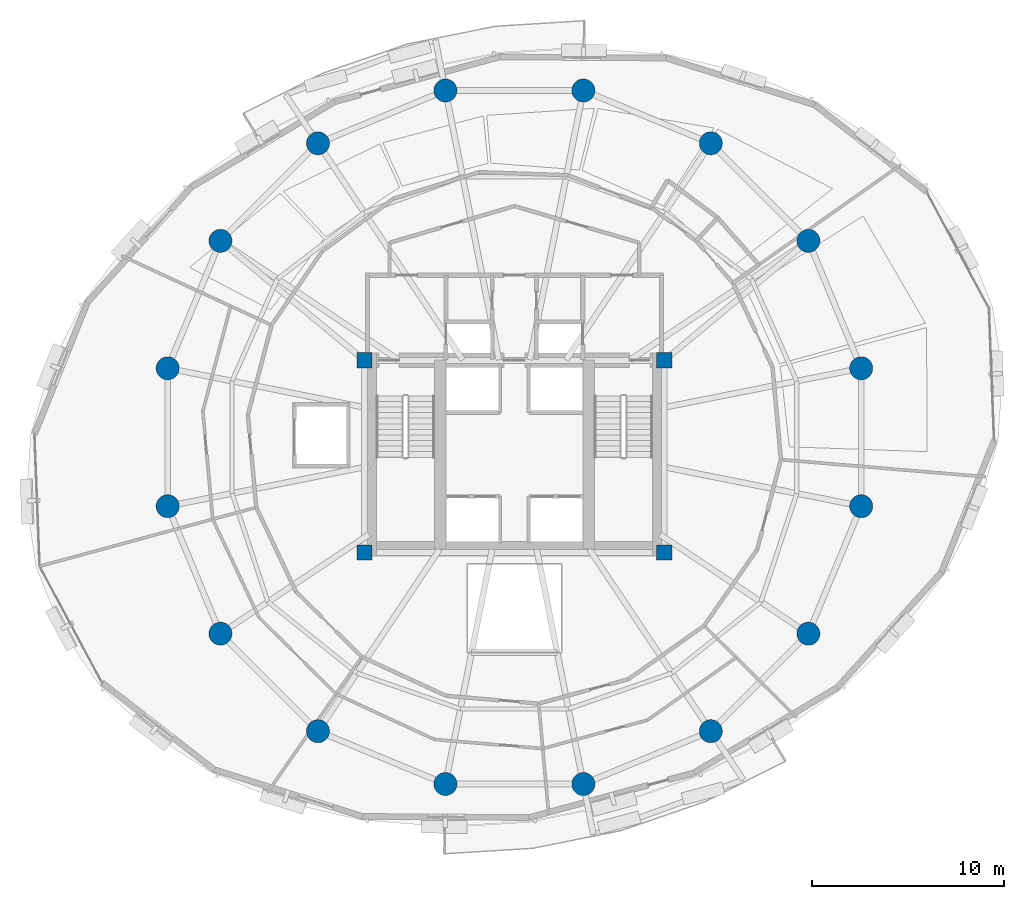
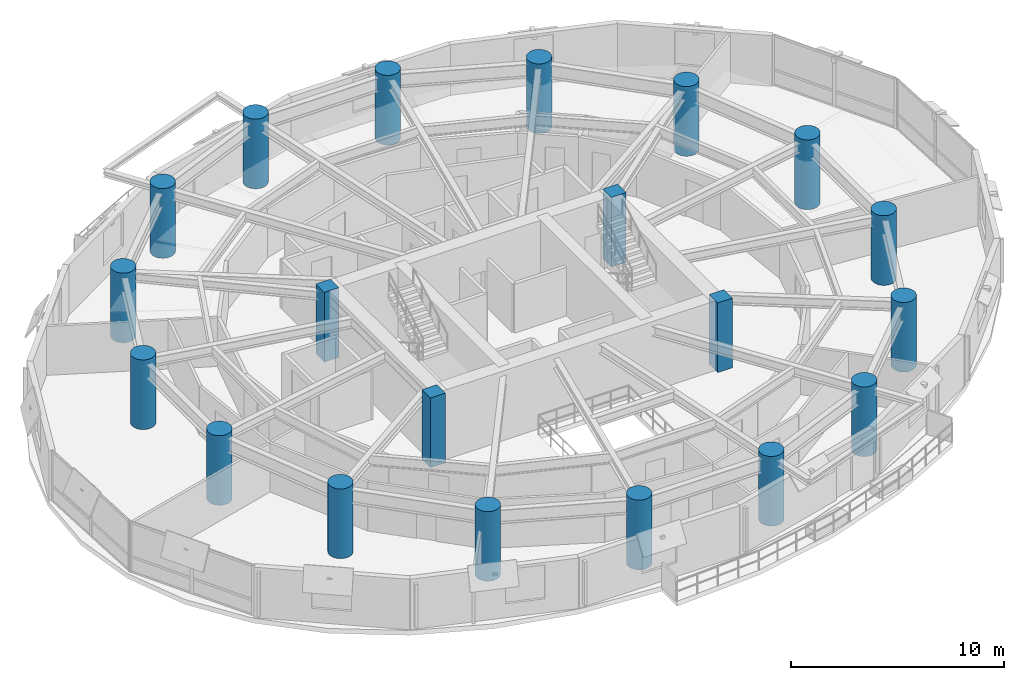
# One storey, part 1 of 15: 20 columns.
"""IFC4 building model written with IfcOpenShell, lengths in metres."""

import ifcopenshell
import ifcopenshell.guid

model = None  # the IFC model being written
_history = None  # IfcOwnerHistory: only IFC2X3 demands one
_inside = {}  # id of a spatial element -> (the spatial element, [elements in it])
_under = {}  # id of a project, library or spatial element -> (it, [spatial elements below it])
_declared = {}  # id of a project -> (the project, [libraries it declares])
_typed = {}  # id of a type object -> (the type object, [elements of that type])
_made_of = {}  # id of a material, layer set ... -> (it, [elements and type objects made of it])


def new_model(schema):
    """Start an empty IFC model of exactly this schema.

    Asked for "IFC4X3", IfcOpenShell would pick the latest addendum, in which some entities
    have other attributes; the version numbers below select the first issue.
    IFC2X3 requires an IfcOwnerHistory on every rooted entity: one is made here for all.
    """
    global model, _history
    if schema == "IFC4X3":
        model = ifcopenshell.file(schema_version=(4, 3, 0, 0))
    else:
        model = ifcopenshell.file(schema=schema)
    _inside.clear()
    _under.clear()
    _declared.clear()
    _typed.clear()
    _made_of.clear()
    _history = None
    if model.schema == "IFC2X3":
        org = make("IfcOrganization", Name="unknown")
        user = make(
            "IfcPersonAndOrganization",
            ThePerson=make("IfcPerson", FamilyName="unknown"),
            TheOrganization=org,
        )
        app = make(
            "IfcApplication",
            ApplicationDeveloper=org,
            Version="unknown",
            ApplicationFullName="unknown",
            ApplicationIdentifier="unknown",
        )
        _history = make(
            "IfcOwnerHistory",
            OwningUser=user,
            OwningApplication=app,
            ChangeAction="ADDED",
            CreationDate=0,
        )
    return model


def make(cls, **values):
    """One entity of the class cls with the attributes given. An attribute that is None is left unset."""
    return model.create_entity(
        cls, **{name: value for name, value in values.items() if value is not None}
    )


def rooted(cls, **values):
    """An entity with a GlobalId (a new one), such as an element, a storey or a relation."""
    return make(cls, GlobalId=ifcopenshell.guid.new(), OwnerHistory=_history, **values)


def si_unit(unit_type, name, prefix=None):
    """IfcSIUnit, for example si_unit("LENGTHUNIT", "METRE", prefix="MILLI")."""
    return make("IfcSIUnit", UnitType=unit_type, Prefix=prefix, Name=name)


def assignment(units):
    """IfcUnitAssignment: the units of a project."""
    return None if units is None else make("IfcUnitAssignment", Units=units)


def point(xyz):
    """IfcCartesianPoint."""
    return None if xyz is None else make("IfcCartesianPoint", Coordinates=xyz)


def direction(xyz):
    """IfcDirection."""
    return None if xyz is None else make("IfcDirection", DirectionRatios=xyz)


def frame(location, z_axis=None, x_axis=None):
    """IfcAxis2Placement3D, a coordinate frame: its origin and axes. An axis left out is left unset."""
    return make(
        "IfcAxis2Placement3D",
        Location=point(location),
        Axis=direction(z_axis),
        RefDirection=direction(x_axis),
    )


def frame_2d(location, x_axis=None):
    """IfcAxis2Placement2D, a coordinate frame in the plane: its origin and x axis."""
    return make(
        "IfcAxis2Placement2D", Location=point(location), RefDirection=direction(x_axis)
    )


def origin():
    """The frame at (0, 0, 0) with its axes left unset."""
    return frame((0.0, 0.0, 0.0))


def origin_2d():
    """The frame at (0, 0) in the plane with its x axis left unset."""
    return frame_2d((0.0, 0.0))


def place(relative_to, where):
    """IfcLocalPlacement: puts the frame where relative to a parent placement (None: the world)."""
    return make(
        "IfcLocalPlacement", PlacementRelTo=relative_to, RelativePlacement=where
    )


def context(
    kind, dimensions, precision=None, world=None, true_north=None, identifier=None
):
    """IfcGeometricRepresentationContext, for example the 3D "Model" context."""
    return make(
        "IfcGeometricRepresentationContext",
        ContextIdentifier=identifier,
        ContextType=kind,
        CoordinateSpaceDimension=dimensions,
        Precision=precision,
        WorldCoordinateSystem=world,
        TrueNorth=true_north,
    )


def subcontext(parent, identifier, kind, view, scale=None):
    """IfcGeometricRepresentationSubContext, for example "Body" below "Model"."""
    return make(
        "IfcGeometricRepresentationSubContext",
        ContextIdentifier=identifier,
        ContextType=kind,
        ParentContext=parent,
        TargetScale=scale,
        TargetView=view,
    )


def project(units=None, contexts=None):
    """IfcProject with its units and contexts."""
    return rooted(
        "IfcProject",
        Name="project",
        RepresentationContexts=contexts,
        UnitsInContext=assignment(units),
    )


def spatial(cls, under=None, at=None, **own):
    """A site, building, storey or space (cls), placed at a placement, below another one or the project."""
    s = rooted(cls, ObjectPlacement=at, **own)
    if under is not None:
        _under.setdefault(under.id(), (under, []))[1].append(s)
    return s


def profile(cls, at=None, kind="AREA", **sizes):
    """A parametric profile (cls). Its sizes go by their IFC names, for example OverallWidth=200.0."""
    return make(cls, ProfileType=kind, Position=at, **sizes)


def rectangle(**sizes):
    """IfcRectangleProfileDef."""
    return profile("IfcRectangleProfileDef", **sizes)


def circle(**sizes):
    """IfcCircleProfileDef."""
    return profile("IfcCircleProfileDef", **sizes)


def extrude(swept, where, along, depth):
    """IfcExtrudedAreaSolid: the profile swept, set in the frame where, extruded along a direction by depth."""
    return make(
        "IfcExtrudedAreaSolid",
        SweptArea=swept,
        Position=where,
        ExtrudedDirection=direction(along),
        Depth=depth,
    )


def shape(context_of_items, identifier, shape_type, items):
    """IfcShapeRepresentation: the items that make up one representation, for example the "Body"."""
    return make(
        "IfcShapeRepresentation",
        ContextOfItems=context_of_items,
        RepresentationIdentifier=identifier,
        RepresentationType=shape_type,
        Items=items,
    )


def material(Name=None, Category=None):
    """IfcMaterial."""
    return make("IfcMaterial", Name=Name, Category=Category)


def material_profile(
    of_material, cross_section, Name=None, Category=None, Priority=None
):
    """IfcMaterialProfile: a cross section and its material."""
    return make(
        "IfcMaterialProfile",
        Name=Name,
        Material=of_material,
        Profile=cross_section,
        Priority=Priority,
        Category=Category,
    )


def profile_set(profiles, Name=None, composite=None):
    """IfcMaterialProfileSet."""
    return make(
        "IfcMaterialProfileSet",
        Name=Name,
        MaterialProfiles=profiles,
        CompositeProfile=composite,
    )


def made_of(thing, what):
    """Note that an element or type object is made of a material, layer set ...; save() writes the relation."""
    if what is not None:
        _made_of.setdefault(what.id(), (what, []))[1].append(thing)
    return thing


def type_object(cls, material=None, **own):
    """A type object (cls), such as IfcWallType, which elements share."""
    return made_of(rooted(cls, **own), material)


def element(
    cls,
    number,
    at=None,
    inside=None,
    cuts=None,
    type_object=None,
    material=None,
    context=None,
    identifier="Body",
    shape_type=None,
    held_by="IfcProductDefinitionShape",
    body=None,
    shapes=None,
    **own,
):
    """One element of the class cls, such as IfcWall. Its Tag is "e" and its number.

    at: its placement. inside: the storey or other place that contains it. cuts: it is an
    opening in that element (IfcRelVoidsElement). A single representation is given by context,
    identifier, shape_type and body (its items); several are given by shapes. held_by: the class
    of the entity that holds the representations. save() writes the other relations.
    """
    e = rooted(cls, Tag="e%d" % number, ObjectPlacement=at, **own)
    if body is not None:
        shapes = [shape(context, identifier, shape_type, body)]
    if shapes is not None:
        e.Representation = make(held_by, Representations=shapes)
    if inside is not None:
        _inside.setdefault(inside.id(), (inside, []))[1].append(e)
    if cuts is not None:
        rooted(
            "IfcRelVoidsElement", RelatingBuildingElement=cuts, RelatedOpeningElement=e
        )
    if type_object is not None:
        _typed.setdefault(type_object.id(), (type_object, []))[1].append(e)
    return made_of(e, material)


def aggregate(whole, parts):
    """IfcRelAggregates: a whole, such as a stair, and the parts it consists of."""
    return rooted("IfcRelAggregates", RelatingObject=whole, RelatedObjects=parts)


def save(model, path):
    """Write the relations noted so far, then the file.

    IfcRelAggregates (storeys below a building ...), IfcRelContainedInSpatialStructure (elements
    in a storey), IfcRelDefinesByType, IfcRelAssociatesMaterial and IfcRelDeclares: one each for
    every whole, place, type object, material and project.
    """
    for whole, parts in _under.values():
        aggregate(whole, parts)
    for where, things in _inside.values():
        rooted(
            "IfcRelContainedInSpatialStructure",
            RelatedElements=things,
            RelatingStructure=where,
        )
    for kind, things in _typed.values():
        rooted("IfcRelDefinesByType", RelatedObjects=things, RelatingType=kind)
    for what, things in _made_of.values():
        rooted("IfcRelAssociatesMaterial", RelatedObjects=things, RelatingMaterial=what)
    for by, libraries in _declared.values():
        rooted("IfcRelDeclares", RelatingContext=by, RelatedDefinitions=libraries)
    model.write(path)


model = new_model("IFC4")

# Units and contexts
model_context = context("Model", 3, precision=1e-05, world=origin(), true_north=direction((0.0, 1.0)))
body_context = subcontext(model_context, "Body", "Model", "MODEL_VIEW")
ifc_project = project(units=[si_unit("LENGTHUNIT", "METRE"), si_unit("AREAUNIT", "SQUARE_METRE"), si_unit("VOLUMEUNIT", "CUBIC_METRE"), si_unit("PLANEANGLEUNIT", "RADIAN"), si_unit("MASSUNIT", "GRAM", prefix="KILO"), si_unit("THERMODYNAMICTEMPERATUREUNIT", "KELVIN"), si_unit("POWERUNIT", "WATT")], contexts=[model_context])

# Site, building, storey
site_placement = place(None, origin())
site = spatial("IfcSite", under=ifc_project, at=site_placement, CompositionType="ELEMENT")
building_placement = place(site_placement, origin())
building = spatial("IfcBuilding", under=site, at=building_placement, Name="Ocrelia Relay Tower", CompositionType="ELEMENT")
storey_placement = place(building_placement, frame((0.0, 0.0, 97.800048828125)))
storey = spatial("IfcBuildingStorey", under=building, at=storey_placement, Name="L22", CompositionType="ELEMENT", Elevation=97.800048828125)

# Columns
ifc_material = material(Name="Concrete C60/75", Category="concrete")
ifc_material_profile_1 = material_profile(ifc_material, circle(Radius=0.60009765625, at=origin_2d()), Name="RC-CIR-1200")
ifc_profile_set_1 = profile_set([ifc_material_profile_1], Name="Concrete C60/75")
column_type_1 = type_object("IfcColumnType", Name="COL-CT-1200", PredefinedType="COLUMN", material=ifc_profile_set_1)
for number, where, z_axis, x_axis, name in (
    (1, (52.04638671875, 29.589599609375, 0.0), (0.0, 0.0, 1.0), (1.0, 0.0, 0.0), "L22 Perimeter Ring Column C01"),
    (2, (49.299072265625, 36.222412109375, 0.0), (0.0, 0.0, 1.0), (1.0, 0.0, 0.0), "L22 Perimeter Ring Column C02"),
    (3, (44.222412109375, 41.299072265625, 0.0), (0.0, 0.0, 1.0), (1.0, 0.0, 0.0), "L22 Perimeter Ring Column C03"),
    (4, (37.589599609375, 44.04638671875, 0.0), (0.0, 0.0, 1.0), (1.0, 0.0, 0.0), "L22 Perimeter Ring Column C04"),
    (5, (30.410400390625, 44.04638671875, 0.0), (0.0, 0.0, 1.0), (1.0, 0.0, 0.0), "L22 Perimeter Ring Column C05"),
    (6, (23.777587890625, 41.299072265625, 0.0), (0.0, 0.0, 1.0), (1.0, 0.0, 0.0), "L22 Perimeter Ring Column C06"),
    (7, (18.700927734375, 36.222412109375, 0.0), (0.0, 0.0, 1.0), (1.0, 0.0, 0.0), "L22 Perimeter Ring Column C07"),
    (8, (15.95361328125, 29.589599609375, 0.0), (0.0, 0.0, 1.0), (1.0, 0.0, 0.0), "L22 Perimeter Ring Column C08"),
    (9, (15.95361328125, 22.410400390625, 0.0), (0.0, 0.0, 1.0), (1.0, 0.0, 0.0), "L22 Perimeter Ring Column C09"),
    (10, (18.700927734375, 15.777587890625, 0.0), (0.0, 0.0, 1.0), (1.0, 0.0, 0.0), "L22 Perimeter Ring Column C10"),
    (11, (23.777587890625, 10.700927734375, 0.0), (0.0, 0.0, 1.0), (1.0, 0.0, 0.0), "L22 Perimeter Ring Column C11"),
    (12, (30.410400390625, 7.95361328125, 0.0), (0.0, 0.0, 1.0), (1.0, 0.0, 0.0), "L22 Perimeter Ring Column C12"),
    (13, (37.589599609375, 7.95361328125, 0.0), (0.0, 0.0, 1.0), (1.0, 0.0, 0.0), "L22 Perimeter Ring Column C13"),
    (14, (44.222412109375, 10.700927734375, 0.0), (0.0, 0.0, 1.0), (1.0, 0.0, 0.0), "L22 Perimeter Ring Column C14"),
    (15, (49.299072265625, 15.777587890625, 0.0), (0.0, 0.0, 1.0), (1.0, 0.0, 0.0), "L22 Perimeter Ring Column C15"),
    (16, (52.04638671875, 22.410400390625, 0.0), (0.0, 0.0, 1.0), (1.0, 0.0, 0.0), "L22 Perimeter Ring Column C16"),
):
    element("IfcColumn", number, at=place(storey_placement, frame(where, z_axis=z_axis, x_axis=x_axis)), inside=storey, type_object=column_type_1, Name=name, PredefinedType="COLUMN", context=body_context, shape_type="SweptSolid", body=[
        extrude(circle(Radius=0.60009765625, at=origin_2d()), origin(), (0.0, 0.0, 1.0), 4.0),
    ])
ifc_material_profile_2 = material_profile(ifc_material, rectangle(XDim=0.800048828125, YDim=0.800048828125, at=origin_2d()), Name="RC-COL-800x800")
ifc_profile_set_2 = profile_set([ifc_material_profile_2], Name="Concrete C60/75")
column_type_2 = type_object("IfcColumnType", Name="COL-PILASTER-800", PredefinedType="PILASTER", material=ifc_profile_set_2)
for number, where, z_axis, x_axis, name in (
    (17, (26.199951171875, 20.0, 0.0), (0.0, 0.0, 1.0), (1.0, 0.0, 0.0), "L22 Core Corner Pilaster SW"),
    (18, (41.800048828125, 20.0, 0.0), (0.0, 0.0, 1.0), (1.0, 0.0, 0.0), "L22 Core Corner Pilaster SE"),
    (19, (26.199951171875, 30.0, 0.0), (0.0, 0.0, 1.0), (1.0, 0.0, 0.0), "L22 Core Corner Pilaster NW"),
    (20, (41.800048828125, 30.0, 0.0), (0.0, 0.0, 1.0), (1.0, 0.0, 0.0), "L22 Core Corner Pilaster NE"),
):
    element("IfcColumn", number, at=place(storey_placement, frame(where, z_axis=z_axis, x_axis=x_axis)), inside=storey, type_object=column_type_2, Name=name, PredefinedType="PILASTER", context=body_context, shape_type="SweptSolid", body=[
        extrude(rectangle(XDim=0.800048828125, YDim=0.800048828125, at=origin_2d()), origin(), (0.0, 0.0, 1.0), 4.0),
    ])

save(model, "model.ifc")
